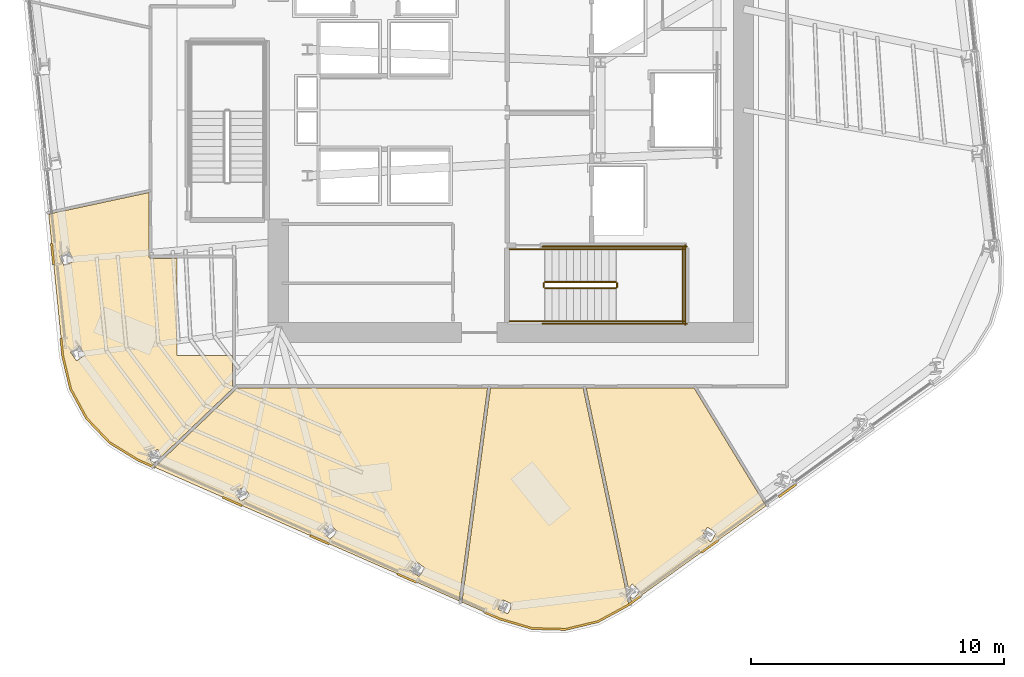
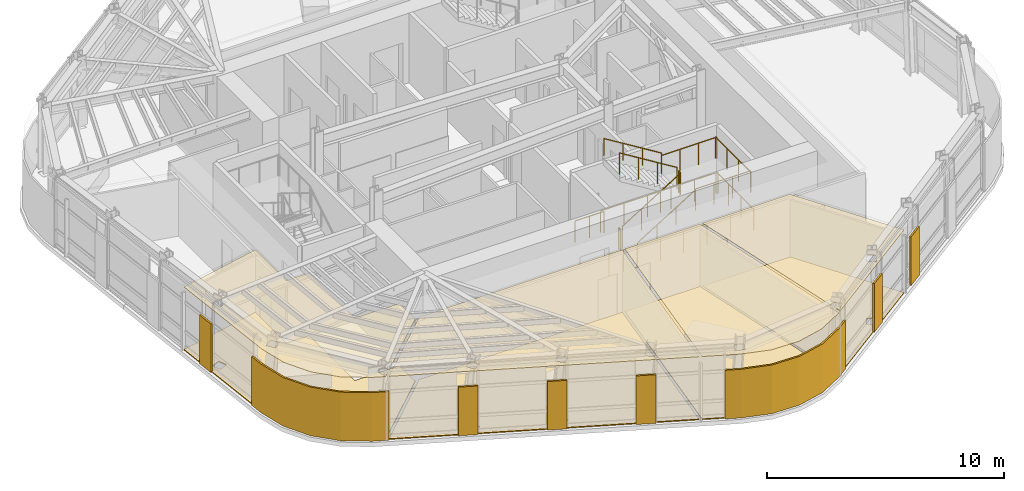
# One storey, part 10 of 14: 16 coverings, 14 railings.
"""IFC4 building model written with IfcOpenShell, lengths in metres."""

from ifc_helpers import new_model, si_unit, direction, frame, origin, origin_2d, place, context, subcontext, project, spatial, polyline, circle, outline, extrude, material, layer, layer_set, type_object, element, save


model = new_model("IFC4")

# Units and contexts
model_context = context("Model", 3, precision=1e-05, world=origin(), true_north=direction((0.0, 1.0)))
body_context = subcontext(model_context, "Body", "Model", "MODEL_VIEW")
ifc_project = project(units=[si_unit("LENGTHUNIT", "METRE"), si_unit("AREAUNIT", "SQUARE_METRE"), si_unit("VOLUMEUNIT", "CUBIC_METRE"), si_unit("PLANEANGLEUNIT", "RADIAN"), si_unit("MASSUNIT", "GRAM", prefix="KILO")], contexts=[model_context])

# Site, building, storey
site_placement = place(None, origin())
site = spatial("IfcSite", under=ifc_project, at=site_placement, CompositionType="ELEMENT")
building_placement = place(site_placement, origin())
building = spatial("IfcBuilding", under=site, at=building_placement, Name="Valkerne Bourse Tower", CompositionType="ELEMENT")
storey_placement = place(building_placement, frame((0.0, 0.0, 178.0)))
storey = spatial("IfcBuildingStorey", under=building, at=storey_placement, Name="L45", CompositionType="ELEMENT", Elevation=178.0)

# Coverings
ifc_material_1 = material(Name="Mineral Fiber Acoustic Ceiling Tile", Category="acoustic")
ifc_layer_1 = layer(ifc_material_1, 0.02490234375)
ifc_layer_set_1 = layer_set([ifc_layer_1], Name="Mineral Fiber Acoustic Ceiling Tile")
covering_type_1 = type_object("IfcCoveringType", Name="COV-CEIL-ACT", PredefinedType="CEILING", material=ifc_layer_set_1)
covering_1_placement = place(storey_placement, frame((0.0, 0.0, 3.22998046875)))
element("IfcCovering", 1, at=covering_1_placement, inside=storey, type_object=covering_type_1, Name="L45 Suspended Ceiling 05", PredefinedType="CEILING", context=body_context, shape_type="SweptSolid", body=[
    extrude(outline(polyline([(54.03857421875, 16.010986328125), (56.88818359375, 11.34228515625), (51.56591796875, 7.517333984375), (51.514404296875, 7.76123046875), (51.639404296875, 7.656005859375), (51.64208984375, 7.656494140625), (51.91455078125, 7.98095703125), (51.598388671875, 8.248291015625), (51.595703125, 8.24755859375), (51.448974609375, 8.07275390625), (49.77587890625, 16.010986328125), (54.03857421875, 16.010986328125)]), holes=[polyline([(54.924560546875, 10.293212890625), (54.56396484375, 10.496337890625), (54.561279296875, 10.495361328125), (54.3544921875, 10.12548828125), (54.71533203125, 9.92236328125), (54.7177734375, 9.92333984375), (54.924560546875, 10.293212890625)])]), origin(), (0.0, 0.0, 1.0), 0.02490234375),
])
covering_2_placement = place(storey_placement, frame((0.0, 0.0, 3.22998046875)))
element("IfcCovering", 2, at=covering_2_placement, inside=storey, type_object=covering_type_1, Name="L45 Suspended Ceiling 06", PredefinedType="CEILING", context=body_context, shape_type="SweptSolid", body=[
    extrude(outline(polyline([(48.95849609375, 6.462890625), (47.639404296875, 6.497314453125), (46.36474609375, 6.875), (44.8623046875, 7.534423828125), (45.993408203125, 16.010986328125), (49.655517578125, 16.010986328125), (51.3525390625, 7.9580078125), (51.3232421875, 7.923095703125), (51.367919921875, 7.88525390625), (51.461181640625, 7.44189453125), (51.409912109375, 7.4052734375), (50.24169921875, 6.77099609375), (48.95849609375, 6.462890625)]), holes=[polyline([(46.854736328125, 7.451416015625), (46.470947265625, 7.630615234375), (46.46826171875, 7.630615234375), (46.293701171875, 7.2548828125), (46.677490234375, 7.07568359375), (46.680419921875, 7.07568359375), (46.854736328125, 7.451416015625)])]), origin(), (0.0, 0.0, 1.0), 0.02490234375),
])
covering_3_placement = place(storey_placement, frame((0.0, 0.0, 3.22998046875)))
element("IfcCovering", 3, at=covering_3_placement, inside=storey, type_object=covering_type_1, Name="L45 Suspended Ceiling 07", PredefinedType="CEILING", context=body_context, shape_type="SweptSolid", body=[
    extrude(outline(polyline([(30.01806640625, 14.80712890625), (29.388427734375, 15.966796875), (29.078125, 17.2587890625), (28.516357421875, 22.884521484375), (32.48095703125, 23.736083984375), (32.48095703125, 21.199462890625), (32.48779296875, 21.169921875), (32.508544921875, 21.144775390625), (32.54931640625, 21.131103515625), (33.60009765625, 21.131103515625), (33.60009765625, 17.300048828125), (35.781005859375, 17.300048828125), (35.781005859375, 16.079345703125), (35.794189453125, 16.039306640625), (35.82470703125, 16.017578125), (32.947021484375, 13.26708984375), (32.83740234375, 13.571533203125), (32.835205078125, 13.573486328125), (32.446044921875, 13.432373046875), (32.589599609375, 13.033935546875), (32.591552734375, 13.031982421875), (32.76806640625, 13.095947265625), (32.587890625, 12.923583984375), (32.059326171875, 13.15576171875), (30.926513671875, 13.85009765625), (30.01806640625, 14.80712890625)]), holes=[polyline([(29.9658203125, 17.323486328125), (29.96435546875, 17.326171875), (29.72705078125, 17.664306640625), (29.37939453125, 17.420654296875), (29.380615234375, 17.418212890625), (29.617919921875, 17.080078125), (29.9658203125, 17.323486328125)]), polyline([(29.5068359375, 21.013916015625), (29.506103515625, 21.0166015625), (29.33642578125, 21.393310546875), (28.94921875, 21.219482421875), (28.949951171875, 21.216796875), (29.119384765625, 20.840087890625), (29.5068359375, 21.013916015625)])]), origin(), (0.0, 0.0, 1.0), 0.02490234375),
])
covering_4_placement = place(storey_placement, frame((0.0, 0.0, 3.22998046875)))
element("IfcCovering", 4, at=covering_4_placement, inside=storey, type_object=covering_type_1, Name="L45 Suspended Ceiling 08", PredefinedType="CEILING", context=body_context, shape_type="SweptSolid", body=[
    extrude(outline(polyline([(45.874267578125, 16.010986328125), (44.749755859375, 7.583984375), (32.704833984375, 12.872314453125), (35.988525390625, 16.010986328125), (45.874267578125, 16.010986328125)]), holes=[polyline([(36.249755859375, 12.102783203125), (36.24755859375, 12.104248046875), (35.8916015625, 11.892333984375), (36.107666015625, 11.528076171875), (36.10986328125, 11.5263671875), (36.465576171875, 11.73828125), (36.249755859375, 12.102783203125)]), polyline([(43.059814453125, 9.132568359375), (43.05712890625, 9.133056640625), (42.815185546875, 8.796875), (43.158447265625, 8.548583984375), (43.1611328125, 8.548095703125), (43.403076171875, 8.884521484375), (43.059814453125, 9.132568359375)]), polyline([(39.9404296875, 10.31103515625), (39.65478515625, 10.623779296875), (39.65234375, 10.625), (39.34716796875, 10.344970703125), (39.6328125, 10.0322265625), (39.63525390625, 10.031005859375), (39.9404296875, 10.31103515625)])]), origin(), (0.0, 0.0, 1.0), 0.02490234375),
])
ifc_material_2 = material(Name="Bronze Anodised Aluminium AA 6063-T6", Category="aluminium")
ifc_layer_2 = layer(ifc_material_2, 0.06005859375)
ifc_layer_set_2 = layer_set([ifc_layer_2], Name="Bronze Anodised Aluminium AA 6063-T6")
covering_type_2 = type_object("IfcCoveringType", Name="COV-CRN-ALUM", PredefinedType="CLADDING", material=ifc_layer_set_2)
covering_5_placement = place(storey_placement, origin())
element("IfcCovering", 5, at=covering_5_placement, inside=storey, type_object=covering_type_2, Name="L45 Wind-Shaped Corner Aluminium Cladding 03", PredefinedType="CLADDING", context=body_context, shape_type="SweptSolid", body=[
    extrude(outline(polyline([(57.419189453125, 11.669677734375), (57.3720703125, 11.734375), (58.05419921875, 12.224609375), (58.10107421875, 12.159912109375), (57.419189453125, 11.669677734375)])), origin(), (0.0, 0.0, 1.0), 2.5),
])
covering_6_placement = place(storey_placement, origin())
element("IfcCovering", 6, at=covering_6_placement, inside=storey, type_object=covering_type_2, Name="L45 Wind-Shaped Corner Aluminium Cladding 04", PredefinedType="CLADDING", context=body_context, shape_type="SweptSolid", body=[
    extrude(outline(polyline([(54.356689453125, 9.468994140625), (54.309814453125, 9.53369140625), (54.991943359375, 10.023681640625), (55.038818359375, 9.958984375), (54.356689453125, 9.468994140625)])), origin(), (0.0, 0.0, 1.0), 2.5),
])
covering_7_placement = place(storey_placement, origin())
element("IfcCovering", 7, at=covering_7_placement, inside=storey, type_object=covering_type_2, Name="L45 Wind-Shaped Corner Aluminium Cladding 05", PredefinedType="CLADDING", context=body_context, shape_type="SweptSolid", body=[
    extrude(outline(polyline([(51.43359375, 7.367919921875), (50.257568359375, 6.7294921875), (48.963134765625, 6.418701171875), (47.632568359375, 6.45361328125), (46.349609375, 6.83349609375), (45.737060546875, 7.102294921875), (45.76953125, 7.175537109375), (46.377197265625, 6.90869140625), (47.64501953125, 6.533203125), (48.95458984375, 6.4990234375), (50.228515625, 6.8046875), (51.390869140625, 7.435791015625), (51.9296875, 7.822998046875), (51.9765625, 7.75830078125), (51.43359375, 7.367919921875)])), origin(), (0.0, 0.0, 1.0), 2.5),
])
covering_8_placement = place(storey_placement, origin())
element("IfcCovering", 8, at=covering_8_placement, inside=storey, type_object=covering_type_2, Name="L45 Wind-Shaped Corner Aluminium Cladding 06", PredefinedType="CLADDING", context=body_context, shape_type="SweptSolid", body=[
    extrude(outline(polyline([(42.2841796875, 8.618408203125), (42.316650390625, 8.69140625), (43.085693359375, 8.353759765625), (43.05322265625, 8.28076171875), (42.2841796875, 8.618408203125)])), origin(), (0.0, 0.0, 1.0), 2.5),
])
covering_9_placement = place(storey_placement, origin())
element("IfcCovering", 9, at=covering_9_placement, inside=storey, type_object=covering_type_2, Name="L45 Wind-Shaped Corner Aluminium Cladding 07", PredefinedType="CLADDING", context=body_context, shape_type="SweptSolid", body=[
    extrude(outline(polyline([(38.831298828125, 10.134521484375), (38.86376953125, 10.20751953125), (39.6328125, 9.869873046875), (39.600341796875, 9.796875), (38.831298828125, 10.134521484375)])), origin(), (0.0, 0.0, 1.0), 2.5),
])
covering_10_placement = place(storey_placement, origin())
element("IfcCovering", 10, at=covering_10_placement, inside=storey, type_object=covering_type_2, Name="L45 Wind-Shaped Corner Aluminium Cladding 08", PredefinedType="CLADDING", context=body_context, shape_type="SweptSolid", body=[
    extrude(outline(polyline([(35.37841796875, 11.650390625), (35.410888671875, 11.7236328125), (36.179931640625, 11.385986328125), (36.1474609375, 11.312744140625), (35.37841796875, 11.650390625)])), origin(), (0.0, 0.0, 1.0), 2.5),
])
covering_11_placement = place(storey_placement, origin())
element("IfcCovering", 11, at=covering_11_placement, inside=storey, type_object=covering_type_2, Name="L45 Wind-Shaped Corner Aluminium Cladding 09", PredefinedType="CLADDING", context=body_context, shape_type="SweptSolid", body=[
    extrude(outline(polyline([(32.038818359375, 13.11669921875), (30.8984375, 13.815673828125), (29.982177734375, 14.781005859375), (29.346923828125, 15.950927734375), (29.03466796875, 17.25146484375), (28.963623046875, 17.964111328125), (29.043212890625, 17.972412109375), (29.11376953125, 17.264892578125), (29.42236328125, 15.97998046875), (30.047607421875, 14.82861328125), (30.94921875, 13.87841796875), (32.075927734375, 13.187744140625), (32.72705078125, 12.90185546875), (32.694580078125, 12.828857421875), (32.038818359375, 13.11669921875)])), origin(), (0.0, 0.0, 1.0), 2.5),
])
covering_12_placement = place(storey_placement, origin())
element("IfcCovering", 12, at=covering_12_placement, inside=storey, type_object=covering_type_2, Name="L45 Wind-Shaped Corner Aluminium Cladding 10", PredefinedType="CLADDING", context=body_context, shape_type="SweptSolid", body=[
    extrude(outline(polyline([(28.588623046875, 21.716552734375), (28.668212890625, 21.724853515625), (28.751708984375, 20.888916015625), (28.672119140625, 20.880615234375), (28.588623046875, 21.716552734375)])), origin(), (0.0, 0.0, 1.0), 2.5),
])
ifc_material_3 = material(Name="Galvanised Painted Steel", Category="steel")
ifc_layer_3 = layer(ifc_material_3, 0.044921875)
ifc_layer_set_3 = layer_set([ifc_layer_3], Name="Galvanised Painted Steel")
covering_type_3 = type_object("IfcCoveringType", Name="COV-FLR-RAF", PredefinedType="FLOORING", material=ifc_layer_set_3)
covering_13_placement = place(storey_placement, origin())
element("IfcCovering", 13, at=covering_13_placement, inside=storey, type_object=covering_type_3, Name="L45 Floor Finish 06", PredefinedType="FLOORING", context=body_context, shape_type="SweptSolid", body=[
    extrude(outline(polyline([(48.95849609375, 6.462890625), (47.639404296875, 6.497314453125), (46.36474609375, 6.875), (44.8623046875, 7.534423828125), (45.993408203125, 16.010986328125), (49.655517578125, 16.010986328125), (51.3525390625, 7.9580078125), (51.3232421875, 7.923095703125), (51.367919921875, 7.88525390625), (51.461181640625, 7.44189453125), (51.409912109375, 7.4052734375), (50.24169921875, 6.77099609375), (48.95849609375, 6.462890625)]), holes=[polyline([(46.854736328125, 7.451416015625), (46.470947265625, 7.630615234375), (46.46826171875, 7.630615234375), (46.293701171875, 7.2548828125), (46.677490234375, 7.07568359375), (46.680419921875, 7.07568359375), (46.854736328125, 7.451416015625)])]), origin(), (0.0, 0.0, 1.0), 0.044921875),
])
covering_14_placement = place(storey_placement, origin())
element("IfcCovering", 14, at=covering_14_placement, inside=storey, type_object=covering_type_3, Name="L45 Floor Finish 07", PredefinedType="FLOORING", context=body_context, shape_type="SweptSolid", body=[
    extrude(outline(polyline([(30.01806640625, 14.80712890625), (29.388427734375, 15.966796875), (29.078125, 17.2587890625), (28.516357421875, 22.884521484375), (32.48095703125, 23.736083984375), (32.48095703125, 21.199462890625), (32.48779296875, 21.169921875), (32.508544921875, 21.144775390625), (32.54931640625, 21.131103515625), (33.60009765625, 21.131103515625), (33.60009765625, 17.300048828125), (35.781005859375, 17.300048828125), (35.781005859375, 16.079345703125), (35.794189453125, 16.039306640625), (35.82470703125, 16.017578125), (32.947021484375, 13.26708984375), (32.83740234375, 13.571533203125), (32.835205078125, 13.573486328125), (32.446044921875, 13.432373046875), (32.589599609375, 13.033935546875), (32.591552734375, 13.031982421875), (32.76806640625, 13.095947265625), (32.587890625, 12.923583984375), (32.059326171875, 13.15576171875), (30.926513671875, 13.85009765625), (30.01806640625, 14.80712890625)]), holes=[polyline([(29.9658203125, 17.323486328125), (29.96435546875, 17.326171875), (29.72705078125, 17.664306640625), (29.37939453125, 17.420654296875), (29.380615234375, 17.418212890625), (29.617919921875, 17.080078125), (29.9658203125, 17.323486328125)]), polyline([(29.5068359375, 21.013916015625), (29.506103515625, 21.0166015625), (29.33642578125, 21.393310546875), (28.94921875, 21.219482421875), (28.949951171875, 21.216796875), (29.119384765625, 20.840087890625), (29.5068359375, 21.013916015625)])]), origin(), (0.0, 0.0, 1.0), 0.044921875),
])
covering_15_placement = place(storey_placement, origin())
element("IfcCovering", 15, at=covering_15_placement, inside=storey, type_object=covering_type_3, Name="L45 Floor Finish 08", PredefinedType="FLOORING", context=body_context, shape_type="SweptSolid", body=[
    extrude(outline(polyline([(45.874267578125, 16.010986328125), (44.749755859375, 7.583984375), (32.704833984375, 12.872314453125), (35.988525390625, 16.010986328125), (45.874267578125, 16.010986328125)]), holes=[polyline([(36.249755859375, 12.102783203125), (36.24755859375, 12.104248046875), (35.8916015625, 11.892333984375), (36.107666015625, 11.528076171875), (36.10986328125, 11.5263671875), (36.465576171875, 11.73828125), (36.249755859375, 12.102783203125)]), polyline([(43.059814453125, 9.132568359375), (43.05712890625, 9.133056640625), (42.815185546875, 8.796875), (43.158447265625, 8.548583984375), (43.1611328125, 8.548095703125), (43.403076171875, 8.884521484375), (43.059814453125, 9.132568359375)]), polyline([(39.9404296875, 10.31103515625), (39.65478515625, 10.623779296875), (39.65234375, 10.625), (39.34716796875, 10.344970703125), (39.6328125, 10.0322265625), (39.63525390625, 10.031005859375), (39.9404296875, 10.31103515625)])]), origin(), (0.0, 0.0, 1.0), 0.044921875),
])
ifc_material_4 = material(Name="Polished Granite Stone", Category="masonry")
ifc_layer_4 = layer(ifc_material_4, 0.030029296875)
ifc_layer_set_4 = layer_set([ifc_layer_4], Name="Polished Granite Stone")
covering_type_4 = type_object("IfcCoveringType", Name="COV-FLR-TERRAZZO", PredefinedType="FLOORING", material=ifc_layer_set_4)
covering_16_placement = place(storey_placement, origin())
element("IfcCovering", 16, at=covering_16_placement, inside=storey, type_object=covering_type_4, Name="L45 Floor Finish 05", PredefinedType="FLOORING", context=body_context, shape_type="SweptSolid", body=[
    extrude(outline(polyline([(54.03857421875, 16.010986328125), (56.88818359375, 11.34228515625), (51.56591796875, 7.517333984375), (51.514404296875, 7.76123046875), (51.639404296875, 7.656005859375), (51.64208984375, 7.656494140625), (51.91455078125, 7.98095703125), (51.598388671875, 8.248291015625), (51.595703125, 8.24755859375), (51.448974609375, 8.07275390625), (49.77587890625, 16.010986328125), (54.03857421875, 16.010986328125)]), holes=[polyline([(54.924560546875, 10.293212890625), (54.56396484375, 10.496337890625), (54.561279296875, 10.495361328125), (54.3544921875, 10.12548828125), (54.71533203125, 9.92236328125), (54.7177734375, 9.92333984375), (54.924560546875, 10.293212890625)])]), origin(), (0.0, 0.0, 1.0), 0.030029296875),
])

# Railings
railing_type_1 = type_object("IfcRailingType", Name="RLG-ST-GUARD-1120", PredefinedType="GUARDRAIL", material=ifc_material_3)
railing_1_placement = place(storey_placement, frame((48.14990234375, 19.949951171875, 0.172607421875)))
element("IfcRailing", 17, at=railing_1_placement, inside=storey, type_object=railing_type_1, Name="L45 ST-1 stair guard 1", PredefinedType="GUARDRAIL", context=body_context, shape_type="SweptSolid", body=[
    extrude(circle(Radius=0.02392578125, at=origin_2d()), frame((0.0, 0.0, 1.09619140625), z_axis=(0.851089632645, 0.0, 0.525020415988), x_axis=(0.0, 1.0, 0.0)), (0.0, 0.0, 1.0), 3.2900390625),
    extrude(circle(Radius=0.02099609375, at=origin_2d()), origin(), (0.0, 0.0, 1.0), 1.072021484375),
    extrude(circle(Radius=0.02099609375, at=origin_2d()), frame((0.933349609375, 0.0, 0.57568359375)), (0.0, 0.0, 1.0), 1.072021484375),
    extrude(circle(Radius=0.02099609375, at=origin_2d()), frame((1.86669921875, 0.0, 1.151611328125)), (0.0, 0.0, 1.0), 1.072021484375),
    extrude(circle(Radius=0.02099609375, at=origin_2d()), frame((2.800048828125, 0.0, 1.727294921875)), (0.0, 0.0, 1.0), 1.072021484375),
])
railing_2_placement = place(storey_placement, frame((51.0, 20.0, 1.89990234375)))
element("IfcRailing", 18, at=railing_2_placement, inside=storey, type_object=railing_type_1, Name="L45 ST-1 stair guard 2", PredefinedType="GUARDRAIL", context=body_context, shape_type="SweptSolid", body=[
    extrude(circle(Radius=0.02392578125, at=origin_2d()), frame((0.0, 0.0, 1.09619140625), z_axis=(0.0, 1.0, 0.0), x_axis=(-1.0, 0.0, 0.0)), (0.0, 0.0, 1.0), 0.14990234375),
    extrude(circle(Radius=0.02099609375, at=origin_2d()), origin(), (0.0, 0.0, 1.0), 1.072021484375),
    extrude(circle(Radius=0.02099609375, at=origin_2d()), frame((0.0, 0.14990234375, 0.0)), (0.0, 0.0, 1.0), 1.072021484375),
])
for number, where, name in (
    (19, (50.949951171875, 18.64990234375, 1.89990234375), "L45 ST-1 stair guard 3"),
    (20, (50.949951171875, 21.5, 1.89990234375), "L45 ST-1 stair guard 4"),
):
    element("IfcRailing", number, at=place(storey_placement, frame(where)), inside=storey, type_object=railing_type_1, Name=name, PredefinedType="GUARDRAIL", context=body_context, shape_type="SweptSolid", body=[
        extrude(circle(Radius=0.02392578125, at=origin_2d()), frame((0.0, 0.0, 1.09619140625), z_axis=(1.0, 0.0, 0.0), x_axis=(0.0, 1.0, 0.0)), (0.0, 0.0, 1.0), 2.699951171875),
        extrude(circle(Radius=0.02099609375, at=origin_2d()), origin(), (0.0, 0.0, 1.0), 1.072021484375),
        extrude(circle(Radius=0.02099609375, at=origin_2d()), frame((0.89990234375, 0.0, 0.0)), (0.0, 0.0, 1.0), 1.072021484375),
        extrude(circle(Radius=0.02099609375, at=origin_2d()), frame((1.800048828125, 0.0, 0.0)), (0.0, 0.0, 1.0), 1.072021484375),
        extrude(circle(Radius=0.02099609375, at=origin_2d()), frame((2.699951171875, 0.0, 0.0)), (0.0, 0.0, 1.0), 1.072021484375),
    ])
railing_3_placement = place(storey_placement, frame((53.60009765625, 18.60009765625, 1.89990234375)))
element("IfcRailing", 21, at=railing_3_placement, inside=storey, type_object=railing_type_1, Name="L45 ST-1 stair guard 5", PredefinedType="GUARDRAIL", context=body_context, shape_type="SweptSolid", body=[
    extrude(circle(Radius=0.02392578125, at=origin_2d()), frame((0.0, 0.0, 1.09619140625), z_axis=(0.0, 1.0, 0.0), x_axis=(-1.0, 0.0, 0.0)), (0.0, 0.0, 1.0), 2.949951171875),
    extrude(circle(Radius=0.02099609375, at=origin_2d()), origin(), (0.0, 0.0, 1.0), 1.072021484375),
    extrude(circle(Radius=0.02099609375, at=origin_2d()), frame((0.0, 0.9833984375, 0.0)), (0.0, 0.0, 1.0), 1.072021484375),
    extrude(circle(Radius=0.02099609375, at=origin_2d()), frame((0.0, 1.966552734375, 0.0)), (0.0, 0.0, 1.0), 1.072021484375),
    extrude(circle(Radius=0.02099609375, at=origin_2d()), frame((0.0, 2.949951171875, 0.0)), (0.0, 0.0, 1.0), 1.072021484375),
])
railing_4_placement = place(storey_placement, frame((50.949951171875, 20.199951171875, 2.07275390625)))
element("IfcRailing", 22, at=railing_4_placement, inside=storey, type_object=railing_type_1, Name="L45 ST-1 stair guard 6", PredefinedType="GUARDRAIL", context=body_context, shape_type="SweptSolid", body=[
    extrude(circle(Radius=0.02392578125, at=origin_2d()), frame((0.0, 0.0, 1.09619140625), z_axis=(-0.851089632645, 0.0, 0.525020415988), x_axis=(0.0, -1.0, 0.0)), (0.0, 0.0, 1.0), 3.2900390625),
    extrude(circle(Radius=0.02099609375, at=origin_2d()), origin(), (0.0, 0.0, 1.0), 1.072021484375),
    extrude(circle(Radius=0.02099609375, at=origin_2d()), frame((-0.933349609375, 0.0, 0.57568359375)), (0.0, 0.0, 1.0), 1.072021484375),
    extrude(circle(Radius=0.02099609375, at=origin_2d()), frame((-1.86669921875, 0.0, 1.151611328125)), (0.0, 0.0, 1.0), 1.072021484375),
    extrude(circle(Radius=0.02099609375, at=origin_2d()), frame((-2.800048828125, 0.0, 1.727294921875)), (0.0, 0.0, 1.0), 1.072021484375),
])
railing_5_placement = place(storey_placement, frame((48.10009765625, 20.0, 0.0)))
element("IfcRailing", 23, at=railing_5_placement, inside=storey, type_object=railing_type_1, Name="L45 ST-1 stair guard 7", PredefinedType="GUARDRAIL", context=body_context, shape_type="SweptSolid", body=[
    extrude(circle(Radius=0.02392578125, at=origin_2d()), frame((0.0, 0.0, 1.09619140625), z_axis=(0.0, 1.0, 0.0), x_axis=(-1.0, 0.0, 0.0)), (0.0, 0.0, 1.0), 0.14990234375),
    extrude(circle(Radius=0.02099609375, at=origin_2d()), origin(), (0.0, 0.0, 1.0), 1.072021484375),
    extrude(circle(Radius=0.02099609375, at=origin_2d()), frame((0.0, 0.14990234375, 0.0)), (0.0, 0.0, 1.0), 1.072021484375),
])
for number, where, name in (
    (24, (46.75, 18.64990234375, 0.0), "L45 ST-1 stair guard 8"),
    (25, (46.75, 21.5, 0.0), "L45 ST-1 stair guard 9"),
):
    element("IfcRailing", number, at=place(storey_placement, frame(where)), inside=storey, type_object=railing_type_1, Name=name, PredefinedType="GUARDRAIL", context=body_context, shape_type="SweptSolid", body=[
        extrude(circle(Radius=0.02392578125, at=origin_2d()), frame((0.0, 0.0, 1.09619140625), z_axis=(1.0, 0.0, 0.0), x_axis=(0.0, 1.0, 0.0)), (0.0, 0.0, 1.0), 1.39990234375),
        extrude(circle(Radius=0.02099609375, at=origin_2d()), origin(), (0.0, 0.0, 1.0), 1.072021484375),
        extrude(circle(Radius=0.02099609375, at=origin_2d()), frame((0.699951171875, 0.0, 0.0)), (0.0, 0.0, 1.0), 1.072021484375),
        extrude(circle(Radius=0.02099609375, at=origin_2d()), frame((1.39990234375, 0.0, 0.0)), (0.0, 0.0, 1.0), 1.072021484375),
    ])
for number, where, name in (
    (26, (48.050048828125, 18.550048828125, 0.0), "L45 ST-1 stair guard 10"),
    (27, (48.050048828125, 21.60009765625, 0.0), "L45 ST-1 stair guard 11"),
):
    element("IfcRailing", number, at=place(storey_placement, frame(where)), inside=storey, type_object=railing_type_1, Name=name, PredefinedType="GUARDRAIL", context=body_context, shape_type="SweptSolid", body=[
        extrude(circle(Radius=0.02392578125, at=origin_2d()), frame((0.0, 0.0, 1.09619140625), z_axis=(1.0, 0.0, 0.0), x_axis=(0.0, 1.0, 0.0)), (0.0, 0.0, 1.0), 5.699951171875),
        extrude(circle(Radius=0.02099609375, at=origin_2d()), origin(), (0.0, 0.0, 1.0), 1.072021484375),
        extrude(circle(Radius=0.02099609375, at=origin_2d()), frame((1.139892578125, 0.0, 0.0)), (0.0, 0.0, 1.0), 1.072021484375),
        extrude(circle(Radius=0.02099609375, at=origin_2d()), frame((2.280029296875, 0.0, 0.0)), (0.0, 0.0, 1.0), 1.072021484375),
        extrude(circle(Radius=0.02099609375, at=origin_2d()), frame((3.419921875, 0.0, 0.0)), (0.0, 0.0, 1.0), 1.072021484375),
        extrude(circle(Radius=0.02099609375, at=origin_2d()), frame((4.56005859375, 0.0, 0.0)), (0.0, 0.0, 1.0), 1.072021484375),
        extrude(circle(Radius=0.02099609375, at=origin_2d()), frame((5.699951171875, 0.0, 0.0)), (0.0, 0.0, 1.0), 1.072021484375),
    ])
railing_6_placement = place(storey_placement, frame((53.699951171875, 18.5, 0.0)))
element("IfcRailing", 28, at=railing_6_placement, inside=storey, type_object=railing_type_1, Name="L45 ST-1 stair guard 12", PredefinedType="GUARDRAIL", context=body_context, shape_type="SweptSolid", body=[
    extrude(circle(Radius=0.02392578125, at=origin_2d()), frame((0.0, 0.0, 1.09619140625), z_axis=(0.0, 1.0, 0.0), x_axis=(-1.0, 0.0, 0.0)), (0.0, 0.0, 1.0), 3.14990234375),
    extrude(circle(Radius=0.02099609375, at=origin_2d()), origin(), (0.0, 0.0, 1.0), 1.072021484375),
    extrude(circle(Radius=0.02099609375, at=origin_2d()), frame((0.0, 1.050048828125, 0.0)), (0.0, 0.0, 1.0), 1.072021484375),
    extrude(circle(Radius=0.02099609375, at=origin_2d()), frame((0.0, 2.099853515625, 0.0)), (0.0, 0.0, 1.0), 1.072021484375),
    extrude(circle(Radius=0.02099609375, at=origin_2d()), frame((0.0, 3.14990234375, 0.0)), (0.0, 0.0, 1.0), 1.072021484375),
])
ifc_material_5 = material(Name="Stainless Steel AISI 316", Category="steel")
railing_type_2 = type_object("IfcRailingType", Name="RLG-ST-HANDRAIL-900", PredefinedType="HANDRAIL", material=ifc_material_5)
railing_7_placement = place(storey_placement, frame((48.14990234375, 18.64990234375, 0.345458984375)))
element("IfcRailing", 29, at=railing_7_placement, inside=storey, type_object=railing_type_2, Name="L45 ST-1 stair handrail 1", PredefinedType="HANDRAIL", context=body_context, shape_type="SweptSolid", body=[
    extrude(circle(Radius=0.02392578125, at=origin_2d()), frame((0.0, 0.0, 0.8759765625), z_axis=(0.851089632645, 0.0, 0.525020415988), x_axis=(0.0, 1.0, 0.0)), (0.0, 0.0, 1.0), 3.2900390625),
    extrude(circle(Radius=0.02099609375, at=origin_2d()), origin(), (0.0, 0.0, 1.0), 0.851806640625),
    extrude(circle(Radius=0.02099609375, at=origin_2d()), frame((0.933349609375, 0.0, 0.57568359375)), (0.0, 0.0, 1.0), 0.851806640625),
    extrude(circle(Radius=0.02099609375, at=origin_2d()), frame((1.86669921875, 0.0, 1.151611328125)), (0.0, 0.0, 1.0), 0.851806640625),
    extrude(circle(Radius=0.02099609375, at=origin_2d()), frame((2.800048828125, 0.0, 1.727294921875)), (0.0, 0.0, 1.0), 0.851806640625),
])
railing_8_placement = place(storey_placement, frame((50.949951171875, 21.5, 2.245361328125)))
element("IfcRailing", 30, at=railing_8_placement, inside=storey, type_object=railing_type_2, Name="L45 ST-1 stair handrail 2", PredefinedType="HANDRAIL", context=body_context, shape_type="SweptSolid", body=[
    extrude(circle(Radius=0.02392578125, at=origin_2d()), frame((0.0, 0.0, 0.8759765625), z_axis=(-0.851089632645, 0.0, 0.525020415988), x_axis=(0.0, -1.0, 0.0)), (0.0, 0.0, 1.0), 3.2900390625),
    extrude(circle(Radius=0.02099609375, at=origin_2d()), origin(), (0.0, 0.0, 1.0), 0.851806640625),
    extrude(circle(Radius=0.02099609375, at=origin_2d()), frame((-0.933349609375, 0.0, 0.57568359375)), (0.0, 0.0, 1.0), 0.851806640625),
    extrude(circle(Radius=0.02099609375, at=origin_2d()), frame((-1.86669921875, 0.0, 1.151611328125)), (0.0, 0.0, 1.0), 0.851806640625),
    extrude(circle(Radius=0.02099609375, at=origin_2d()), frame((-2.800048828125, 0.0, 1.727294921875)), (0.0, 0.0, 1.0), 0.851806640625),
])

save(model, "model.ifc")
